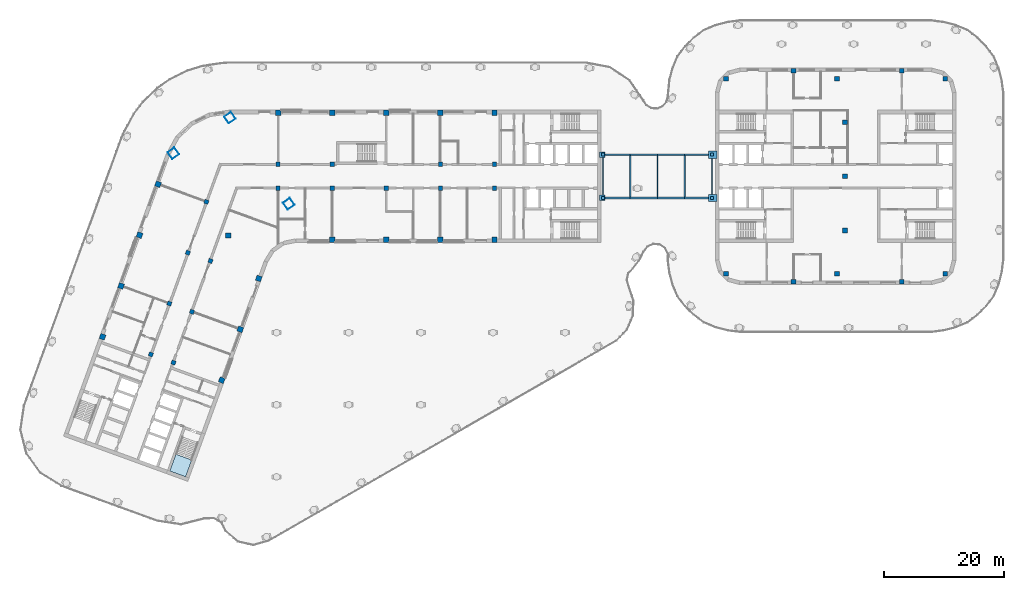
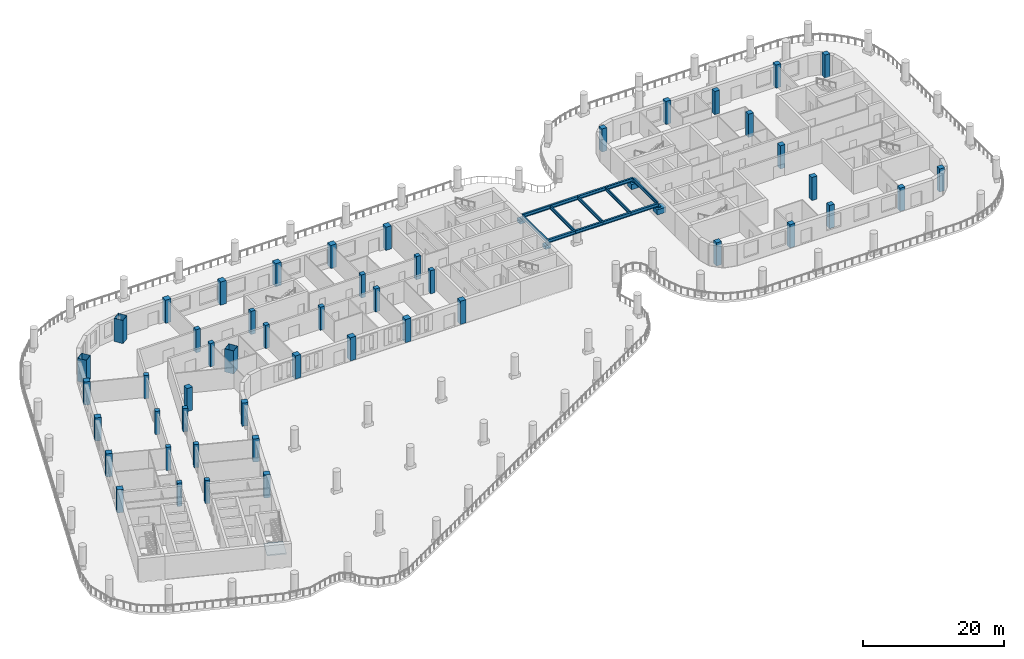
# One storey, part 1 of 18: 49 columns, 12 members, 9 beams, 1 slab, 1 element without a shape of its own.
"""IFC4 building model written with IfcOpenShell, lengths in metres."""

from ifc_helpers import new_model, si_unit, direction, frame, origin, origin_2d, place, context, subcontext, project, spatial, polyline, rectangle, hollow_rectangle, i_section, outline, extrude, material, layer, layer_set, material_profile, profile_set, type_object, element, aggregate, save


model = new_model("IFC4")

# Units and contexts
model_context = context("Model", 3, precision=1e-05, world=origin(), true_north=direction((0.0, 1.0)))
body_context = subcontext(model_context, "Body", "Model", "MODEL_VIEW")
ifc_project = project(units=[si_unit("LENGTHUNIT", "METRE"), si_unit("AREAUNIT", "SQUARE_METRE"), si_unit("VOLUMEUNIT", "CUBIC_METRE"), si_unit("PLANEANGLEUNIT", "RADIAN"), si_unit("MASSUNIT", "GRAM", prefix="KILO")], contexts=[model_context])

# Site, building, storey
site_placement = place(None, origin())
site = spatial("IfcSite", under=ifc_project, at=site_placement, CompositionType="ELEMENT")
building_placement = place(site_placement, origin())
building = spatial("IfcBuilding", under=site, at=building_placement, Name="Skarvind Civic Tower", CompositionType="ELEMENT")
storey_placement = place(building_placement, frame((0.0, 0.0, 27.5)))
storey = spatial("IfcBuildingStorey", under=building, at=storey_placement, Name="L05", CompositionType="ELEMENT", Elevation=27.5)

# Columns
ifc_material_1 = material(Name="Concrete C60", Category="concrete")
ifc_material_profile_1 = material_profile(ifc_material_1, rectangle(XDim=0.699951171875, YDim=0.699951171875, at=origin_2d()), Name="RC-700x700")
ifc_profile_set_1 = profile_set([ifc_material_profile_1], Name="Concrete C60")
column_type_1 = type_object("IfcColumnType", Name="Column RC-700x700 C60", PredefinedType="COLUMN", material=ifc_profile_set_1)
for number, where, z_axis, x_axis, name in (
    (1, (54.25, 130.0, 0.0), (0.0, 0.0, 1.0), (1.0, 0.0, 0.0), "Column wing 1 north inner 02 L05"),
    (2, (63.25, 130.0, 0.0), (0.0, 0.0, 1.0), (1.0, 0.0, 0.0), "Column wing 1 north inner 03 L05"),
    (3, (81.25, 130.0, 0.0), (0.0, 0.0, 1.0), (1.0, 0.0, 0.0), "Column wing 1 north inner 05 L05"),
    (4, (90.25, 130.0, 0.0), (0.0, 0.0, 1.0), (1.0, 0.0, 0.0), "Column wing 1 north inner 06 L05"),
    (5, (54.25, 126.0, 0.0), (0.0, 0.0, 1.0), (1.0, 0.0, 0.0), "Column wing 1 south inner 02 L05"),
    (6, (63.25, 126.0, 0.0), (0.0, 0.0, 1.0), (1.0, 0.0, 0.0), "Column wing 1 south inner 03 L05"),
    (7, (72.25, 126.0, 0.0), (0.0, 0.0, 1.0), (1.0, 0.0, 0.0), "Column wing 1 south inner 04 L05"),
    (8, (81.25, 126.0, 0.0), (0.0, 0.0, 1.0), (1.0, 0.0, 0.0), "Column wing 1 south inner 05 L05"),
    (9, (90.25, 126.0, 0.0), (0.0, 0.0, 1.0), (1.0, 0.0, 0.0), "Column wing 1 south inner 06 L05"),
    (10, (43.005615234375, 113.92529296875, 0.0), (0.0, 0.0, 1.0), (-0.342020143326, -0.939692620786, 0.0), "Column wing 2 left inner 02 L05"),
    (11, (39.927490234375, 105.468017578125, 0.0), (0.0, 0.0, 1.0), (-0.342020143326, -0.939692620786, 0.0), "Column wing 2 left inner 03 L05"),
    (12, (36.84912109375, 97.010986328125, 0.0), (0.0, 0.0, 1.0), (-0.342020143326, -0.939692620786, 0.0), "Column wing 2 left inner 04 L05"),
    (13, (42.324951171875, 123.750732421875, 0.0), (0.0, 0.0, 1.0), (-0.342020143326, -0.939692620786, 0.0), "Column wing 2 right inner 01 L05"),
    (14, (39.246826171875, 115.29345703125, 0.0), (0.0, 0.0, 1.0), (-0.342020143326, -0.939692620786, 0.0), "Column wing 2 right inner 02 L05"),
    (15, (36.168701171875, 106.836181640625, 0.0), (0.0, 0.0, 1.0), (-0.342020143326, -0.939692620786, 0.0), "Column wing 2 right inner 03 L05"),
    (16, (33.090576171875, 98.37890625, 0.0), (0.0, 0.0, 1.0), (-0.342020143326, -0.939692620786, 0.0), "Column wing 2 right inner 04 L05"),
):
    element("IfcColumn", number, at=place(storey_placement, frame(where, z_axis=z_axis, x_axis=x_axis)), inside=storey, type_object=column_type_1, Name=name, PredefinedType="COLUMN", context=body_context, shape_type="SweptSolid", body=[
        extrude(rectangle(XDim=0.699951171875, YDim=0.699951171875, at=origin_2d()), origin(), (0.0, 0.0, 1.0), 4.0),
    ])
ifc_material_profile_2 = material_profile(ifc_material_1, rectangle(XDim=0.800048828125, YDim=0.800048828125, at=origin_2d()), Name="RC-800x800")
ifc_profile_set_2 = profile_set([ifc_material_profile_2], Name="Concrete C60")
column_type_2 = type_object("IfcColumnType", Name="Column RC-800x800 C60", PredefinedType="COLUMN", material=ifc_profile_set_2)
for number, where, z_axis, x_axis, name in (
    (17, (128.777099609375, 144.222900390625, 0.0), (0.0, 0.0, 1.0), (1.0, 0.0, 0.0), "Column second tower north-west corner L05"),
    (18, (128.777099609375, 111.777099609375, 0.0), (0.0, 0.0, 1.0), (1.0, 0.0, 0.0), "Column second tower south-west corner L05"),
    (19, (148.550048828125, 119.0, 0.0), (0.0, 0.0, 1.0), (1.0, 0.0, 0.0), "Column second tower middle line 01 L05"),
    (20, (148.550048828125, 128.0, 0.0), (0.0, 0.0, 1.0), (1.0, 0.0, 0.0), "Column second tower middle line 02 L05"),
    (21, (148.550048828125, 137.0, 0.0), (0.0, 0.0, 1.0), (1.0, 0.0, 0.0), "Column second tower middle line 03 L05"),
    (22, (140.0, 145.550048828125, 0.0), (0.0, 0.0, 1.0), (1.0, 0.0, 0.0), "Column second tower north perimeter 02 L05"),
    (23, (147.222900390625, 144.222900390625, 0.0), (0.0, 0.0, 1.0), (1.0, 0.0, 0.0), "Column second tower north perimeter 03 L05"),
    (24, (140.0, 110.449951171875, 0.0), (0.0, 0.0, 1.0), (1.0, 0.0, 0.0), "Column second tower south perimeter 02 L05"),
    (25, (147.222900390625, 111.777099609375, 0.0), (0.0, 0.0, 1.0), (1.0, 0.0, 0.0), "Column second tower south perimeter 03 L05"),
    (26, (165.222900390625, 144.222900390625, 0.0), (0.0, 0.0, 1.0), (1.0, 0.0, 0.0), "Column second tower north-east corner L05"),
    (27, (165.222900390625, 111.777099609375, 0.0), (0.0, 0.0, 1.0), (1.0, 0.0, 0.0), "Column second tower south-east corner L05"),
    (28, (158.0, 145.550048828125, 0.0), (0.0, 0.0, 1.0), (1.0, 0.0, 0.0), "Column second tower north perimeter 04 L05"),
    (29, (158.0, 110.449951171875, 0.0), (0.0, 0.0, 1.0), (1.0, 0.0, 0.0), "Column second tower south perimeter 04 L05"),
):
    element("IfcColumn", number, at=place(storey_placement, frame(where, z_axis=z_axis, x_axis=x_axis)), inside=storey, type_object=column_type_2, Name=name, PredefinedType="COLUMN", context=body_context, shape_type="SweptSolid", body=[
        extrude(rectangle(XDim=0.800048828125, YDim=0.800048828125, at=origin_2d()), origin(), (0.0, 0.0, 1.0), 4.0),
    ])
ifc_material_2 = material(Name="Concrete C80", Category="concrete")
ifc_material_profile_3 = material_profile(ifc_material_2, rectangle(XDim=0.89990234375, YDim=0.89990234375, at=origin_2d()), Name="RC-900x900")
ifc_profile_set_3 = profile_set([ifc_material_profile_3], Name="Concrete C80")
column_type_3 = type_object("IfcColumnType", Name="Column RC-900x900 C80", PredefinedType="COLUMN", material=ifc_profile_set_3)
for number, where, z_axis, x_axis, name in (
    (30, (54.25, 138.550048828125, 0.0), (0.0, 0.0, 1.0), (1.0, 0.0, 0.0), "Column wing 1 north perimeter 02 L05"),
    (31, (63.25, 138.550048828125, 0.0), (0.0, 0.0, 1.0), (1.0, 0.0, 0.0), "Column wing 1 north perimeter 03 L05"),
    (32, (72.25, 138.550048828125, 0.0), (0.0, 0.0, 1.0), (1.0, 0.0, 0.0), "Column wing 1 north perimeter 04 L05"),
    (33, (81.25, 138.550048828125, 0.0), (0.0, 0.0, 1.0), (1.0, 0.0, 0.0), "Column wing 1 north perimeter 05 L05"),
    (34, (90.25, 138.550048828125, 0.0), (0.0, 0.0, 1.0), (1.0, 0.0, 0.0), "Column wing 1 north perimeter 06 L05"),
    (35, (45.95166015625, 118.151611328125, 0.0), (0.0, 0.0, 1.0), (1.0, 0.0, 0.0), "Column wing 1 south perimeter 01 L05"),
    (36, (63.25, 117.449951171875, 0.0), (0.0, 0.0, 1.0), (1.0, 0.0, 0.0), "Column wing 1 south perimeter 03 L05"),
    (37, (72.25, 117.449951171875, 0.0), (0.0, 0.0, 1.0), (1.0, 0.0, 0.0), "Column wing 1 south perimeter 04 L05"),
    (38, (81.25, 117.449951171875, 0.0), (0.0, 0.0, 1.0), (1.0, 0.0, 0.0), "Column wing 1 south perimeter 05 L05"),
    (39, (90.25, 117.449951171875, 0.0), (0.0, 0.0, 1.0), (1.0, 0.0, 0.0), "Column wing 1 south perimeter 06 L05"),
    (40, (51.0400390625, 111.0009765625, 0.0), (0.0, 0.0, 1.0), (-0.342020143326, -0.939692620786, 0.0), "Column wing 2 left perimeter 02 L05"),
    (41, (47.961669921875, 102.5439453125, 0.0), (0.0, 0.0, 1.0), (-0.342020143326, -0.939692620786, 0.0), "Column wing 2 left perimeter 03 L05"),
    (42, (44.883544921875, 94.086669921875, 0.0), (0.0, 0.0, 1.0), (-0.342020143326, -0.939692620786, 0.0), "Column wing 2 left perimeter 04 L05"),
    (43, (34.29052734375, 126.6748046875, 0.0), (0.0, 0.0, 1.0), (-0.342020143326, -0.939692620786, 0.0), "Column wing 2 right perimeter 01 L05"),
    (44, (31.21240234375, 118.2177734375, 0.0), (0.0, 0.0, 1.0), (-0.342020143326, -0.939692620786, 0.0), "Column wing 2 right perimeter 02 L05"),
    (45, (28.13427734375, 109.760498046875, 0.0), (0.0, 0.0, 1.0), (-0.342020143326, -0.939692620786, 0.0), "Column wing 2 right perimeter 03 L05"),
    (46, (25.05615234375, 101.30322265625, 0.0), (0.0, 0.0, 1.0), (-0.342020143326, -0.939692620786, 0.0), "Column wing 2 right perimeter 04 L05"),
):
    element("IfcColumn", number, at=place(storey_placement, frame(where, z_axis=z_axis, x_axis=x_axis)), inside=storey, type_object=column_type_3, Name=name, PredefinedType="COLUMN", context=body_context, shape_type="SweptSolid", body=[
        extrude(rectangle(XDim=0.89990234375, YDim=0.89990234375, at=origin_2d()), origin(), (0.0, 0.0, 1.0), 4.0),
    ])
ifc_material_3 = material(Name="Composite concrete-filled steel tube, Steel SM355 with Concrete C80", Category="concrete")
ifc_material_profile_4 = material_profile(ifc_material_3, hollow_rectangle(XDim=1.39990234375, YDim=1.39990234375, WallThickness=0.0400390625, at=origin_2d()), Name="BOX-1400x1400x40")
ifc_profile_set_4 = profile_set([ifc_material_profile_4], Name="Composite concrete-filled steel tube, Steel SM355 with Concrete C80")
column_type_4 = type_object("IfcColumnType", Name="Mega column BOX-1400x1400x40 filled C80", PredefinedType="COLUMN", material=ifc_profile_set_4)
for number, where, z_axis, x_axis, name in (
    (47, (36.845947265625, 131.837646484375, 0.0), (0.0, 0.0, 1.0), (0.573576436351, -0.819152044289, 0.0), "Mega column 1 L05"),
    (48, (46.2470703125, 137.762451171875, 0.0), (0.0, 0.0, 1.0), (0.573576436351, -0.819152044289, 0.0), "Mega column 2 L05"),
    (49, (56.0361328125, 123.43017578125, 0.0), (0.0, 0.0, 1.0), (0.573576436351, -0.819152044289, 0.0), "Mega column 4 L05"),
):
    element("IfcColumn", number, at=place(storey_placement, frame(where, z_axis=z_axis, x_axis=x_axis)), inside=storey, type_object=column_type_4, Name=name, PredefinedType="COLUMN", context=body_context, shape_type="SweptSolid", body=[
        extrude(hollow_rectangle(XDim=1.39990234375, YDim=1.39990234375, WallThickness=0.0400390625, at=origin_2d()), origin(), (0.0, 0.0, 1.0), 4.0),
    ])

# Members
ifc_material_4 = material(Name="Steel SM355", Category="steel")
ifc_material_profile_5 = material_profile(ifc_material_4, i_section(OverallWidth=0.300048828125, OverallDepth=0.587890625, WebThickness=0.011962890625, FlangeThickness=0.02001953125, FilletRadius=0.028076171875, at=origin_2d()), Name="H-588x300x12x20")
ifc_profile_set_5 = profile_set([ifc_material_profile_5], Name="Steel SM355")
member_type_1 = type_object("IfcMemberType", Name="Bridge chord H-588x300x12x20 SM355", PredefinedType="CHORD", material=ifc_profile_set_5)
for number, where, z_axis, x_axis, name in (
    (50, (108.300048828125, 124.39990234375, 3.4560546875), (1.0, 0.0, 0.0), (0.0, 1.0, 0.0), "Link bridge BR1 chord"),
    (51, (112.831298828125, 124.39990234375, 3.4560546875), (1.0, 0.0, 0.0), (0.0, 1.0, 0.0), "Link bridge BR1 chord"),
    (52, (117.362548828125, 124.39990234375, 3.4560546875), (1.0, 0.0, 0.0), (0.0, 1.0, 0.0), "Link bridge BR1 chord"),
    (53, (121.893798828125, 124.39990234375, 3.4560546875), (1.0, 0.0, 0.0), (0.0, 1.0, 0.0), "Link bridge BR1 chord"),
    (54, (108.300048828125, 131.60009765625, 3.4560546875), (1.0, 0.0, 0.0), (0.0, 1.0, 0.0), "Link bridge BR1 chord"),
    (55, (112.831298828125, 131.60009765625, 3.4560546875), (1.0, 0.0, 0.0), (0.0, 1.0, 0.0), "Link bridge BR1 chord"),
    (56, (117.362548828125, 131.60009765625, 3.4560546875), (1.0, 0.0, 0.0), (0.0, 1.0, 0.0), "Link bridge BR1 chord"),
    (57, (121.893798828125, 131.60009765625, 3.4560546875), (1.0, 0.0, 0.0), (0.0, 1.0, 0.0), "Link bridge BR1 chord"),
):
    element("IfcMember", number, at=place(storey_placement, frame(where, z_axis=z_axis, x_axis=x_axis)), inside=storey, type_object=member_type_1, Name=name, PredefinedType="CHORD", context=body_context, shape_type="SweptSolid", body=[
        extrude(i_section(OverallWidth=0.300048828125, OverallDepth=0.587890625, WebThickness=0.011962890625, FlangeThickness=0.02001953125, FilletRadius=0.028076171875, at=origin_2d()), origin(), (0.0, 0.0, 1.0), 4.53125),
    ])

# Beams
ifc_material_profile_6 = material_profile(ifc_material_4, i_section(OverallWidth=0.199951171875, OverallDepth=0.60009765625, WebThickness=0.010986328125, FlangeThickness=0.01708984375, FilletRadius=0.02197265625, at=origin_2d()), Name="H-600x200x11x17")
ifc_profile_set_6 = profile_set([ifc_material_profile_6], Name="Steel SM355")
beam_type_1 = type_object("IfcBeamType", Name="Bridge cross beam H-600x200x11x17 SM355", PredefinedType="BEAM", material=ifc_profile_set_6)
for number, where, z_axis, x_axis, name in (
    (58, (108.300048828125, 124.550048828125, 3.449951171875), (0.0, 1.0, 0.0), (-1.0, 0.0, 0.0), "Link bridge BR1 cross beam"),
    (59, (112.831298828125, 124.550048828125, 3.449951171875), (0.0, 1.0, 0.0), (-1.0, 0.0, 0.0), "Link bridge BR1 cross beam"),
    (60, (117.362548828125, 124.550048828125, 3.449951171875), (0.0, 1.0, 0.0), (-1.0, 0.0, 0.0), "Link bridge BR1 cross beam"),
    (61, (121.893798828125, 124.550048828125, 3.449951171875), (0.0, 1.0, 0.0), (-1.0, 0.0, 0.0), "Link bridge BR1 cross beam"),
    (62, (126.425048828125, 124.550048828125, 3.449951171875), (0.0, 1.0, 0.0), (-1.0, 0.0, 0.0), "Link bridge BR1 cross beam"),
):
    element("IfcBeam", number, at=place(storey_placement, frame(where, z_axis=z_axis, x_axis=x_axis)), inside=storey, type_object=beam_type_1, Name=name, PredefinedType="BEAM", context=body_context, shape_type="SweptSolid", body=[
        extrude(i_section(OverallWidth=0.199951171875, OverallDepth=0.60009765625, WebThickness=0.010986328125, FlangeThickness=0.01708984375, FilletRadius=0.02197265625, at=origin_2d()), origin(), (0.0, 0.0, 1.0), 6.89990234375),
    ])

# Members
member_type_2 = type_object("IfcMemberType", Name="Pinned bearing BR1", PredefinedType="USERDEFINED", material=ifc_material_4)
for number, where, z_axis, x_axis, name in (
    (63, (108.300048828125, 124.39990234375, 3.06201171875), (0.0, 0.0, 1.0), (1.0, 0.0, 0.0), "Pinned bearing BR1 T1 S"),
    (64, (108.300048828125, 131.60009765625, 3.06201171875), (0.0, 0.0, 1.0), (1.0, 0.0, 0.0), "Pinned bearing BR1 T1 N"),
):
    element("IfcMember", number, at=place(storey_placement, frame(where, z_axis=z_axis, x_axis=x_axis)), inside=storey, type_object=member_type_2, Name=name, ObjectType="BEARING", PredefinedType="USERDEFINED", context=body_context, shape_type="SweptSolid", body=[
        extrude(rectangle(XDim=0.5, YDim=0.5, at=origin_2d()), origin(), (0.0, 0.0, 1.0), 0.10009765625),
    ])

# Beams
ifc_material_profile_7 = material_profile(ifc_material_1, rectangle(XDim=1.199951171875, YDim=0.89990234375, at=origin_2d()), Name="RC-1200x900")
ifc_profile_set_7 = profile_set([ifc_material_profile_7], Name="Concrete C60")
beam_type_2 = type_object("IfcBeamType", Name="Seat corbel RC-1200x900 C60", PredefinedType="BEAM", material=ifc_profile_set_7)
for number, where, z_axis, x_axis, name in (
    (65, (125.85009765625, 124.39990234375, 2.612060546875), (1.0, 0.0, 0.0), (0.0, 1.0, 0.0), "Seat corbel BR1 T2 S"),
    (66, (125.85009765625, 131.60009765625, 2.612060546875), (1.0, 0.0, 0.0), (0.0, 1.0, 0.0), "Seat corbel BR1 T2 N"),
):
    element("IfcBeam", number, at=place(storey_placement, frame(where, z_axis=z_axis, x_axis=x_axis)), inside=storey, type_object=beam_type_2, Name=name, PredefinedType="BEAM", context=body_context, shape_type="SweptSolid", body=[
        extrude(rectangle(XDim=1.199951171875, YDim=0.89990234375, at=origin_2d()), origin(), (0.0, 0.0, 1.0), 1.449951171875),
    ])
ifc_material_profile_8 = material_profile(ifc_material_1, rectangle(XDim=0.89990234375, YDim=0.60009765625, at=origin_2d()), Name="RC-900x600")
ifc_profile_set_8 = profile_set([ifc_material_profile_8], Name="Concrete C60")
beam_type_3 = type_object("IfcBeamType", Name="Seat corbel RC-900x600 C60", PredefinedType="BEAM", material=ifc_profile_set_8)
for number, where, z_axis, x_axis, name in (
    (67, (107.699951171875, 124.39990234375, 2.761962890625), (1.0, 0.0, 0.0), (0.0, 1.0, 0.0), "Seat corbel BR1 T1 S"),
    (68, (107.699951171875, 131.60009765625, 2.761962890625), (1.0, 0.0, 0.0), (0.0, 1.0, 0.0), "Seat corbel BR1 T1 N"),
):
    element("IfcBeam", number, at=place(storey_placement, frame(where, z_axis=z_axis, x_axis=x_axis)), inside=storey, type_object=beam_type_3, Name=name, PredefinedType="BEAM", context=body_context, shape_type="SweptSolid", body=[
        extrude(rectangle(XDim=0.89990234375, YDim=0.60009765625, at=origin_2d()), origin(), (0.0, 0.0, 1.0), 0.900146484375),
    ])

# Members
member_type_3 = type_object("IfcMemberType", Name="Sliding bearing BR1", PredefinedType="USERDEFINED", material=ifc_material_4)
for number, where, z_axis, x_axis, name in (
    (69, (126.425048828125, 124.39990234375, 3.06201171875), (0.0, 0.0, 1.0), (1.0, 0.0, 0.0), "Sliding bearing BR1 T2 S"),
    (70, (126.425048828125, 131.60009765625, 3.06201171875), (0.0, 0.0, 1.0), (1.0, 0.0, 0.0), "Sliding bearing BR1 T2 N"),
):
    element("IfcMember", number, at=place(storey_placement, frame(where, z_axis=z_axis, x_axis=x_axis)), inside=storey, type_object=member_type_3, Name=name, ObjectType="BEARING", PredefinedType="USERDEFINED", context=body_context, shape_type="SweptSolid", body=[
        extrude(rectangle(XDim=0.5, YDim=0.5, at=origin_2d()), origin(), (0.0, 0.0, 1.0), 0.10009765625),
    ])

# Stair, slab
ifc_material_5 = material(Name="Concrete C40/50", Category="concrete")
stair_type = type_object("IfcStairType", Name="Exit stair, half-turn, concrete", PredefinedType="HALF_TURN_STAIR", material=ifc_material_5)
stair_placement = place(storey_placement, origin())
stair = element("IfcStair", 71, at=stair_placement, inside=storey, type_object=stair_type, Name="Exit stair C2S", PredefinedType="HALF_TURN_STAIR")
ifc_layer = layer(ifc_material_5, 0.199951171875)
ifc_layer_set = layer_set([ifc_layer], Name="Stair half landing slab")
slab_type = type_object("IfcSlabType", Name="Stair half landing slab", PredefinedType="LANDING", material=ifc_layer_set)
slab_placement = place(storey_placement, frame((0.0, 0.0, 1.800048828125)))
slab = element("IfcSlab", 72, at=slab_placement, type_object=slab_type, Name="ST-C2S landing 1", PredefinedType="LANDING", context=body_context, shape_type="SweptSolid", body=[
    extrude(outline(polyline([(37.26123046875, 81.771484375), (39.8935546875, 80.8134765625), (38.87744140625, 78.021484375), (36.2451171875, 78.9794921875), (37.26123046875, 81.771484375)])), origin(), (0.0, 0.0, 1.0), 0.199951171875),
])
aggregate(stair, [slab])

save(model, "model.ifc")
